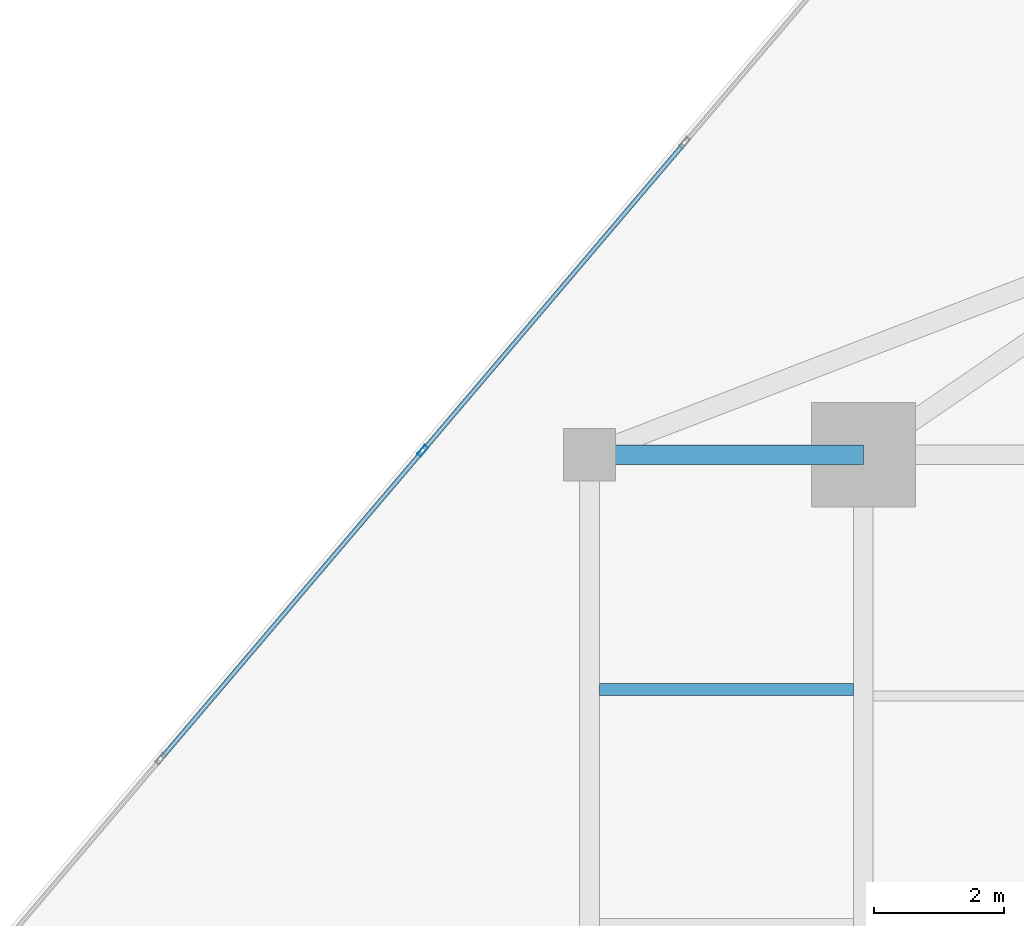
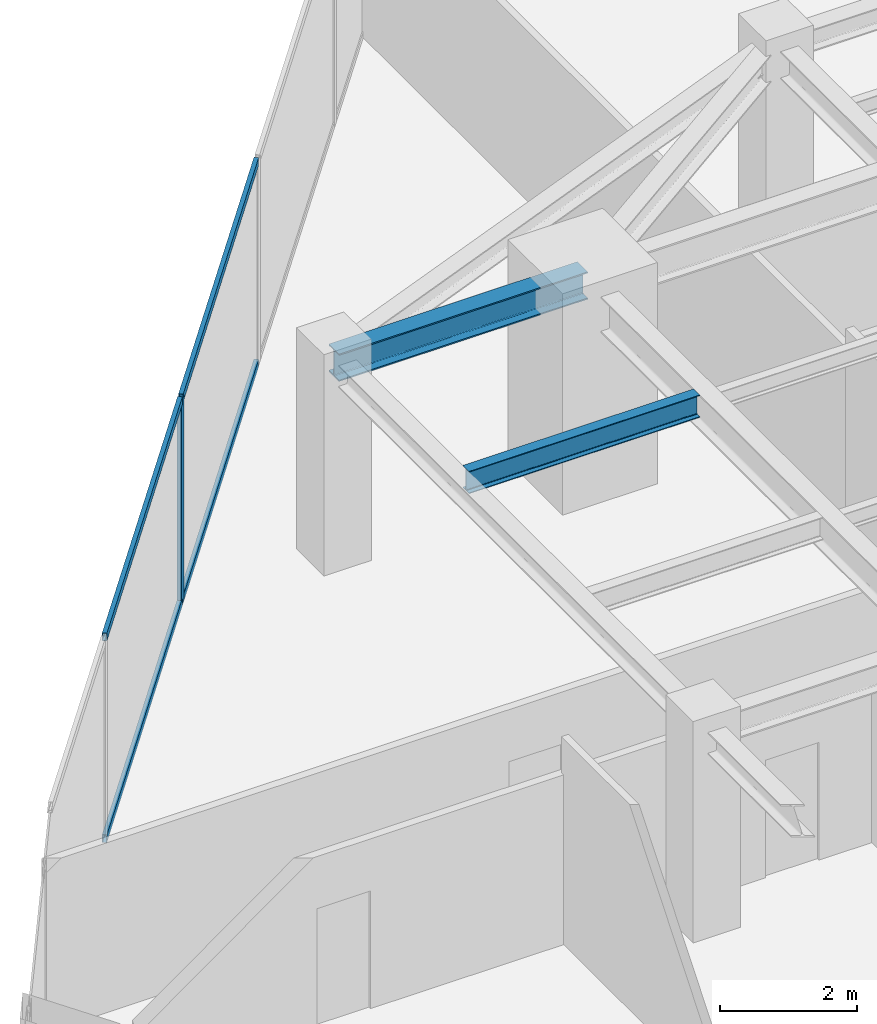
# One storey, part 14 of 25: 5 members, 2 beams, 1 element without a shape of its own.
"""IFC4 building model written with IfcOpenShell, lengths in metres."""

from ifc_helpers import new_model, si_unit, direction, frame, origin, origin_2d, place, context, subcontext, project, spatial, hollow_rectangle, i_section, extrude, source, transform, mapped, material, material_profile, profile_set, type_object, type_shapes, element, aggregate, save


model = new_model("IFC4")

# Units and contexts
model_context = context("Model", 3, precision=1e-05, world=origin(), true_north=direction((0.0, 1.0)))
body_context = subcontext(model_context, "Body", "Model", "MODEL_VIEW")
ifc_project = project(units=[si_unit("LENGTHUNIT", "METRE"), si_unit("AREAUNIT", "SQUARE_METRE"), si_unit("VOLUMEUNIT", "CUBIC_METRE"), si_unit("PLANEANGLEUNIT", "RADIAN"), si_unit("MASSUNIT", "GRAM", prefix="KILO")], contexts=[model_context])

# Site, building, storey
site_placement = place(None, origin())
site = spatial("IfcSite", under=ifc_project, at=site_placement, CompositionType="ELEMENT")
building_placement = place(site_placement, origin())
building = spatial("IfcBuilding", under=site, at=building_placement, Name="Krantzveldt Concourse Tower", CompositionType="ELEMENT")
storey_placement = place(building_placement, frame((0.0, 0.0, 215.199951171875)))
storey = spatial("IfcBuildingStorey", under=building, at=storey_placement, Name="L52", CompositionType="ELEMENT", Elevation=215.199951171875)

# Beams
ifc_material_1 = material(Name="Steel S355JR", Category="steel")
ifc_material_profile_1 = material_profile(ifc_material_1, i_section(OverallWidth=0.300048828125, OverallDepth=0.489990234375, WebThickness=0.011962890625, FlangeThickness=0.02294921875, FilletRadius=0.027099609375, at=origin_2d()), Name="Steel S355JR", Category="steel")
ifc_profile_set_1 = profile_set([ifc_material_profile_1], Name="Steel S355JR - HEA 500")
beam_type_1 = type_object("IfcBeamType", Name="BM-B-HEA500", PredefinedType="BEAM", material=ifc_profile_set_1)
shared_shape_1 = source(origin(), body_context, "Body", "SweptSolid", [
    extrude(i_section(OverallWidth=0.300048828125, OverallDepth=0.489990234375, WebThickness=0.011962890625, FlangeThickness=0.02294921875, FilletRadius=0.027099609375, at=origin_2d()), origin(), (0.0, 0.0, 1.0), 4.199951171875),
])
type_shapes(beam_type_1, [shared_shape_1])
beam_1_placement = place(storey_placement, frame((21.0, 37.5, 3.425048828125), z_axis=(1.0, 0.0, 0.0), x_axis=(0.0, 1.0, 0.0)))
element("IfcBeam", 1, at=beam_1_placement, inside=storey, type_object=beam_type_1, Name="L52 Tower Girder BR-RL3", PredefinedType="BEAM", context=body_context, shape_type="MappedRepresentation", body=[
    mapped(shared_shape_1, transform((0.0, 0.0, 0.0), x_axis=(1.0, 0.0, 0.0), y_axis=(0.0, 1.0, 0.0), z_axis=(0.0, 0.0, 1.0), scale=1.0)),
])
ifc_material_profile_2 = material_profile(ifc_material_1, i_section(OverallWidth=0.179931640625, OverallDepth=0.39990234375, WebThickness=0.008544921875, FlangeThickness=0.013427734375, FilletRadius=0.02099609375, at=origin_2d()), Name="Steel S355JR", Category="steel")
ifc_profile_set_2 = profile_set([ifc_material_profile_2], Name="Steel S355JR - IPE 400")
beam_type_2 = type_object("IfcBeamType", Name="BM-J-IPE400", PredefinedType="JOIST", material=ifc_profile_set_2)
shared_shape_2 = source(origin(), body_context, "Body", "SweptSolid", [
    extrude(i_section(OverallWidth=0.179931640625, OverallDepth=0.39990234375, WebThickness=0.008544921875, FlangeThickness=0.013427734375, FilletRadius=0.02099609375, at=origin_2d()), origin(), (0.0, 0.0, 1.0), 3.900146484375),
])
type_shapes(beam_type_2, [shared_shape_2])
beam_2_placement = place(storey_placement, frame((21.14990234375, 33.89990234375, 3.469970703125), z_axis=(1.0, 0.0, 0.0), x_axis=(0.0, 1.0, 0.0)))
element("IfcBeam", 2, at=beam_2_placement, inside=storey, type_object=beam_type_2, Name="L52 Secondary Floor Joist JW-4", PredefinedType="JOIST", context=body_context, shape_type="MappedRepresentation", body=[
    mapped(shared_shape_2, transform((0.0, 0.0, 0.0), x_axis=(1.0, 0.0, 0.0), y_axis=(0.0, 1.0, 0.0), z_axis=(0.0, 0.0, 1.0), scale=1.0)),
])

# Curtain wall, members
ifc_material_2 = material(Name="Anodised aluminium 6063-T6", Category="aluminium")
curtain_wall_type = type_object("IfcCurtainWallType", Name="CW3", PredefinedType="USERDEFINED", material=ifc_material_2)
curtain_wall_placement = place(storey_placement, origin())
curtain_wall = element("IfcCurtainWall", 3, at=curtain_wall_placement, inside=storey, type_object=curtain_wall_type, Name="CW-L52-F01", ObjectType="UNITISED CURTAIN WALL", PredefinedType="USERDEFINED")
ifc_material_profile_3 = material_profile(ifc_material_2, hollow_rectangle(XDim=0.070068359375, YDim=0.179931640625, WallThickness=0.0048828125, at=origin_2d()), Name="Anodised aluminium 6063-T6", Category="aluminium")
ifc_profile_set_3 = profile_set([ifc_material_profile_3], Name="Anodised aluminium 6063-T6 - ALU-MULL 180x70x5")
member_type_1 = type_object("IfcMemberType", Name="CW-MUL-180", PredefinedType="MULLION", material=ifc_profile_set_3)
shared_shape_3 = source(origin(), body_context, "Body", "SweptSolid", [
    extrude(hollow_rectangle(XDim=0.070068359375, YDim=0.179931640625, WallThickness=0.0048828125, at=origin_2d()), origin(), (0.0, 0.0, 1.0), 3.670166015625),
])
type_shapes(member_type_1, [shared_shape_3])
member_1_placement = place(storey_placement, frame((18.443115234375, 37.559814453125, 0.0), z_axis=(0.0, 0.0, 1.0), x_axis=(0.761820912327, -0.647787694805, 0.0)))
member_1 = element("IfcMember", 4, at=member_1_placement, type_object=member_type_1, Name="CW-Z34 mullion 4", PredefinedType="MULLION", context=body_context, shape_type="MappedRepresentation", body=[
    mapped(shared_shape_3, transform((0.0, 0.0, 0.0), x_axis=(1.0, 0.0, 0.0), y_axis=(0.0, 1.0, 0.0), z_axis=(0.0, 0.0, 1.0), scale=1.0)),
])
ifc_material_profile_4 = material_profile(ifc_material_2, hollow_rectangle(XDim=0.070068359375, YDim=0.139892578125, WallThickness=0.0048828125, at=origin_2d()), Name="Anodised aluminium 6063-T6", Category="aluminium")
ifc_profile_set_4 = profile_set([ifc_material_profile_4], Name="Anodised aluminium 6063-T6 - ALU-TRAN 140x70x5")
member_type_2 = type_object("IfcMemberType", Name="CW-TRN-150", PredefinedType="USERDEFINED", material=ifc_profile_set_4)
shared_shape_4 = source(origin(), body_context, "Body", "SweptSolid", [
    extrude(hollow_rectangle(XDim=0.070068359375, YDim=0.139892578125, WallThickness=0.0048828125, at=origin_2d()), origin(), (0.0, 0.0, 1.0), 6.1298828125),
])
type_shapes(member_type_2, [shared_shape_4])
member_2_placement = place(storey_placement, frame((22.436767578125, 42.25634765625, 0.03515625), z_axis=(-0.647791763952, -0.761817452252, 0.0), x_axis=(0.761817452252, -0.647791763952, 0.0)))
member_2 = element("IfcMember", 5, at=member_2_placement, type_object=member_type_2, Name="CW-Z34 transom 3.1", ObjectType="TRANSOM", PredefinedType="USERDEFINED", context=body_context, shape_type="MappedRepresentation", body=[
    mapped(shared_shape_4, transform((0.0, 0.0, 0.0), x_axis=(1.0, 0.0, 0.0), y_axis=(0.0, 1.0, 0.0), z_axis=(0.0, 0.0, 1.0), scale=1.0)),
])
member_3_placement = place(storey_placement, frame((22.436767578125, 42.25634765625, 3.635009765625), z_axis=(-0.647791763952, -0.761817452252, 0.0), x_axis=(0.761817452252, -0.647791763952, 0.0)))
member_3 = element("IfcMember", 6, at=member_3_placement, type_object=member_type_2, Name="CW-Z34 transom 3.2", ObjectType="TRANSOM", PredefinedType="USERDEFINED", context=body_context, shape_type="MappedRepresentation", body=[
    mapped(shared_shape_4, transform((0.0, 0.0, 0.0), x_axis=(1.0, 0.0, 0.0), y_axis=(0.0, 1.0, 0.0), z_axis=(0.0, 0.0, 1.0), scale=1.0)),
])
member_4_placement = place(storey_placement, frame((18.42041015625, 37.532958984375, 0.03515625), z_axis=(-0.647791763952, -0.761817452252, 0.0), x_axis=(0.761817452252, -0.647791763952, 0.0)))
member_4 = element("IfcMember", 7, at=member_4_placement, type_object=member_type_2, Name="CW-Z34 transom 4.1", ObjectType="TRANSOM", PredefinedType="USERDEFINED", context=body_context, shape_type="MappedRepresentation", body=[
    mapped(shared_shape_4, transform((0.0, 0.0, 0.0), x_axis=(1.0, 0.0, 0.0), y_axis=(0.0, 1.0, 0.0), z_axis=(0.0, 0.0, 1.0), scale=1.0)),
])
member_5_placement = place(storey_placement, frame((18.42041015625, 37.532958984375, 3.635009765625), z_axis=(-0.647791763952, -0.761817452252, 0.0), x_axis=(0.761817452252, -0.647791763952, 0.0)))
member_5 = element("IfcMember", 8, at=member_5_placement, type_object=member_type_2, Name="CW-Z34 transom 4.2", ObjectType="TRANSOM", PredefinedType="USERDEFINED", context=body_context, shape_type="MappedRepresentation", body=[
    mapped(shared_shape_4, transform((0.0, 0.0, 0.0), x_axis=(1.0, 0.0, 0.0), y_axis=(0.0, 1.0, 0.0), z_axis=(0.0, 0.0, 1.0), scale=1.0)),
])
aggregate(curtain_wall, [member_1, member_2, member_3, member_4, member_5])

save(model, "model.ifc")
